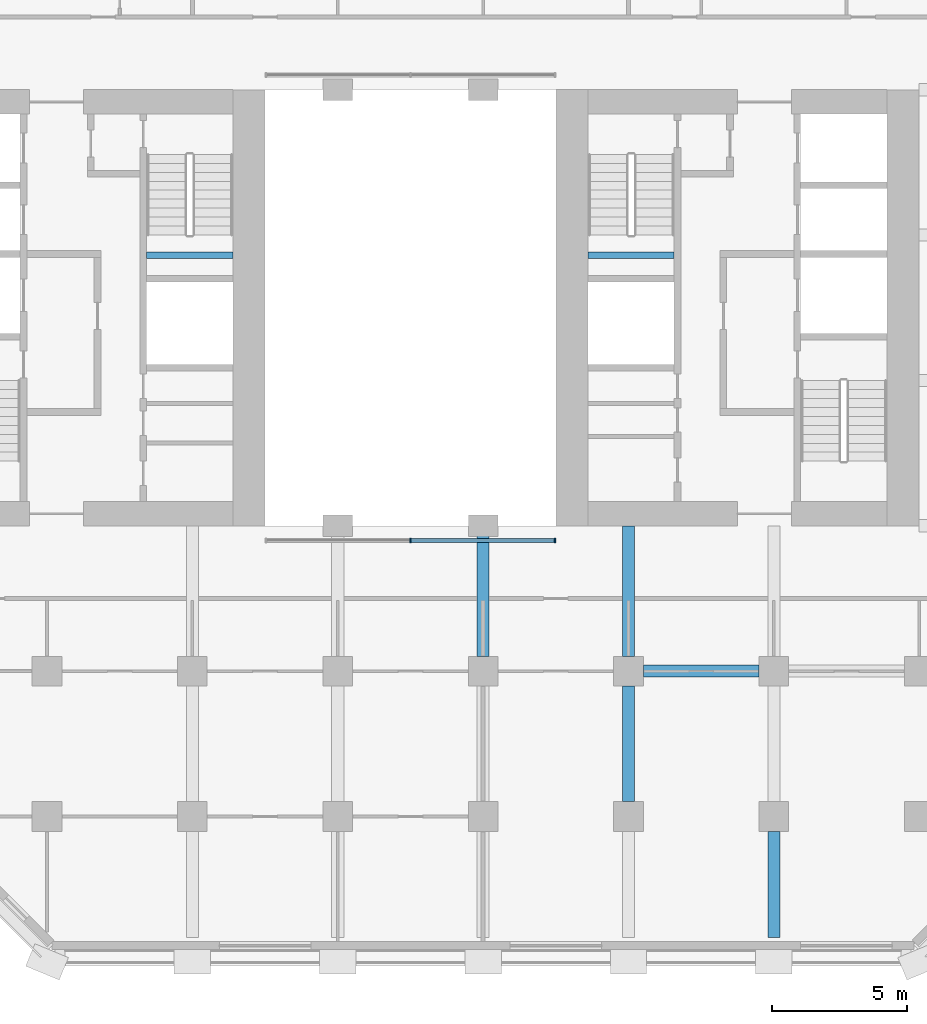
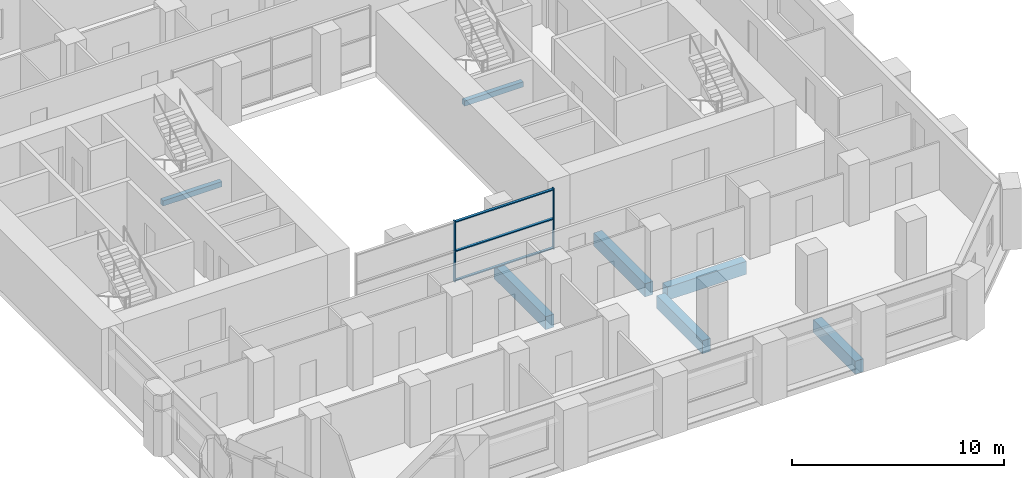
# One storey, part 4 of 13: 7 beams, 5 members, 1 element without a shape of its own.
"""IFC4 building model written with IfcOpenShell, lengths in metres."""

import ifcopenshell
import ifcopenshell.guid

model = None  # the IFC model being written
_history = None  # IfcOwnerHistory: only IFC2X3 demands one
_inside = {}  # id of a spatial element -> (the spatial element, [elements in it])
_under = {}  # id of a project, library or spatial element -> (it, [spatial elements below it])
_declared = {}  # id of a project -> (the project, [libraries it declares])
_typed = {}  # id of a type object -> (the type object, [elements of that type])
_made_of = {}  # id of a material, layer set ... -> (it, [elements and type objects made of it])


def new_model(schema):
    """Start an empty IFC model of exactly this schema.

    Asked for "IFC4X3", IfcOpenShell would pick the latest addendum, in which some entities
    have other attributes; the version numbers below select the first issue.
    IFC2X3 requires an IfcOwnerHistory on every rooted entity: one is made here for all.
    """
    global model, _history
    if schema == "IFC4X3":
        model = ifcopenshell.file(schema_version=(4, 3, 0, 0))
    else:
        model = ifcopenshell.file(schema=schema)
    _inside.clear()
    _under.clear()
    _declared.clear()
    _typed.clear()
    _made_of.clear()
    _history = None
    if model.schema == "IFC2X3":
        org = make("IfcOrganization", Name="unknown")
        user = make(
            "IfcPersonAndOrganization",
            ThePerson=make("IfcPerson", FamilyName="unknown"),
            TheOrganization=org,
        )
        app = make(
            "IfcApplication",
            ApplicationDeveloper=org,
            Version="unknown",
            ApplicationFullName="unknown",
            ApplicationIdentifier="unknown",
        )
        _history = make(
            "IfcOwnerHistory",
            OwningUser=user,
            OwningApplication=app,
            ChangeAction="ADDED",
            CreationDate=0,
        )
    return model


def make(cls, **values):
    """One entity of the class cls with the attributes given. An attribute that is None is left unset."""
    return model.create_entity(
        cls, **{name: value for name, value in values.items() if value is not None}
    )


def rooted(cls, **values):
    """An entity with a GlobalId (a new one), such as an element, a storey or a relation."""
    return make(cls, GlobalId=ifcopenshell.guid.new(), OwnerHistory=_history, **values)


def si_unit(unit_type, name, prefix=None):
    """IfcSIUnit, for example si_unit("LENGTHUNIT", "METRE", prefix="MILLI")."""
    return make("IfcSIUnit", UnitType=unit_type, Prefix=prefix, Name=name)


def assignment(units):
    """IfcUnitAssignment: the units of a project."""
    return None if units is None else make("IfcUnitAssignment", Units=units)


def point(xyz):
    """IfcCartesianPoint."""
    return None if xyz is None else make("IfcCartesianPoint", Coordinates=xyz)


def direction(xyz):
    """IfcDirection."""
    return None if xyz is None else make("IfcDirection", DirectionRatios=xyz)


def frame(location, z_axis=None, x_axis=None):
    """IfcAxis2Placement3D, a coordinate frame: its origin and axes. An axis left out is left unset."""
    return make(
        "IfcAxis2Placement3D",
        Location=point(location),
        Axis=direction(z_axis),
        RefDirection=direction(x_axis),
    )


def frame_2d(location, x_axis=None):
    """IfcAxis2Placement2D, a coordinate frame in the plane: its origin and x axis."""
    return make(
        "IfcAxis2Placement2D", Location=point(location), RefDirection=direction(x_axis)
    )


def origin():
    """The frame at (0, 0, 0) with its axes left unset."""
    return frame((0.0, 0.0, 0.0))


def origin_2d():
    """The frame at (0, 0) in the plane with its x axis left unset."""
    return frame_2d((0.0, 0.0))


def place(relative_to, where):
    """IfcLocalPlacement: puts the frame where relative to a parent placement (None: the world)."""
    return make(
        "IfcLocalPlacement", PlacementRelTo=relative_to, RelativePlacement=where
    )


def context(
    kind, dimensions, precision=None, world=None, true_north=None, identifier=None
):
    """IfcGeometricRepresentationContext, for example the 3D "Model" context."""
    return make(
        "IfcGeometricRepresentationContext",
        ContextIdentifier=identifier,
        ContextType=kind,
        CoordinateSpaceDimension=dimensions,
        Precision=precision,
        WorldCoordinateSystem=world,
        TrueNorth=true_north,
    )


def subcontext(parent, identifier, kind, view, scale=None):
    """IfcGeometricRepresentationSubContext, for example "Body" below "Model"."""
    return make(
        "IfcGeometricRepresentationSubContext",
        ContextIdentifier=identifier,
        ContextType=kind,
        ParentContext=parent,
        TargetScale=scale,
        TargetView=view,
    )


def project(units=None, contexts=None):
    """IfcProject with its units and contexts."""
    return rooted(
        "IfcProject",
        Name="project",
        RepresentationContexts=contexts,
        UnitsInContext=assignment(units),
    )


def spatial(cls, under=None, at=None, **own):
    """A site, building, storey or space (cls), placed at a placement, below another one or the project."""
    s = rooted(cls, ObjectPlacement=at, **own)
    if under is not None:
        _under.setdefault(under.id(), (under, []))[1].append(s)
    return s


def profile(cls, at=None, kind="AREA", **sizes):
    """A parametric profile (cls). Its sizes go by their IFC names, for example OverallWidth=200.0."""
    return make(cls, ProfileType=kind, Position=at, **sizes)


def rectangle(**sizes):
    """IfcRectangleProfileDef."""
    return profile("IfcRectangleProfileDef", **sizes)


def extrude(swept, where, along, depth):
    """IfcExtrudedAreaSolid: the profile swept, set in the frame where, extruded along a direction by depth."""
    return make(
        "IfcExtrudedAreaSolid",
        SweptArea=swept,
        Position=where,
        ExtrudedDirection=direction(along),
        Depth=depth,
    )


def shape(context_of_items, identifier, shape_type, items):
    """IfcShapeRepresentation: the items that make up one representation, for example the "Body"."""
    return make(
        "IfcShapeRepresentation",
        ContextOfItems=context_of_items,
        RepresentationIdentifier=identifier,
        RepresentationType=shape_type,
        Items=items,
    )


def material(Name=None, Category=None):
    """IfcMaterial."""
    return make("IfcMaterial", Name=Name, Category=Category)


def material_profile(
    of_material, cross_section, Name=None, Category=None, Priority=None
):
    """IfcMaterialProfile: a cross section and its material."""
    return make(
        "IfcMaterialProfile",
        Name=Name,
        Material=of_material,
        Profile=cross_section,
        Priority=Priority,
        Category=Category,
    )


def profile_set(profiles, Name=None, composite=None):
    """IfcMaterialProfileSet."""
    return make(
        "IfcMaterialProfileSet",
        Name=Name,
        MaterialProfiles=profiles,
        CompositeProfile=composite,
    )


def made_of(thing, what):
    """Note that an element or type object is made of a material, layer set ...; save() writes the relation."""
    if what is not None:
        _made_of.setdefault(what.id(), (what, []))[1].append(thing)
    return thing


def type_object(cls, material=None, **own):
    """A type object (cls), such as IfcWallType, which elements share."""
    return made_of(rooted(cls, **own), material)


def element(
    cls,
    number,
    at=None,
    inside=None,
    cuts=None,
    type_object=None,
    material=None,
    context=None,
    identifier="Body",
    shape_type=None,
    held_by="IfcProductDefinitionShape",
    body=None,
    shapes=None,
    **own,
):
    """One element of the class cls, such as IfcWall. Its Tag is "e" and its number.

    at: its placement. inside: the storey or other place that contains it. cuts: it is an
    opening in that element (IfcRelVoidsElement). A single representation is given by context,
    identifier, shape_type and body (its items); several are given by shapes. held_by: the class
    of the entity that holds the representations. save() writes the other relations.
    """
    e = rooted(cls, Tag="e%d" % number, ObjectPlacement=at, **own)
    if body is not None:
        shapes = [shape(context, identifier, shape_type, body)]
    if shapes is not None:
        e.Representation = make(held_by, Representations=shapes)
    if inside is not None:
        _inside.setdefault(inside.id(), (inside, []))[1].append(e)
    if cuts is not None:
        rooted(
            "IfcRelVoidsElement", RelatingBuildingElement=cuts, RelatedOpeningElement=e
        )
    if type_object is not None:
        _typed.setdefault(type_object.id(), (type_object, []))[1].append(e)
    return made_of(e, material)


def aggregate(whole, parts):
    """IfcRelAggregates: a whole, such as a stair, and the parts it consists of."""
    return rooted("IfcRelAggregates", RelatingObject=whole, RelatedObjects=parts)


def save(model, path):
    """Write the relations noted so far, then the file.

    IfcRelAggregates (storeys below a building ...), IfcRelContainedInSpatialStructure (elements
    in a storey), IfcRelDefinesByType, IfcRelAssociatesMaterial and IfcRelDeclares: one each for
    every whole, place, type object, material and project.
    """
    for whole, parts in _under.values():
        aggregate(whole, parts)
    for where, things in _inside.values():
        rooted(
            "IfcRelContainedInSpatialStructure",
            RelatedElements=things,
            RelatingStructure=where,
        )
    for kind, things in _typed.values():
        rooted("IfcRelDefinesByType", RelatedObjects=things, RelatingType=kind)
    for what, things in _made_of.values():
        rooted("IfcRelAssociatesMaterial", RelatedObjects=things, RelatingMaterial=what)
    for by, libraries in _declared.values():
        rooted("IfcRelDeclares", RelatingContext=by, RelatedDefinitions=libraries)
    model.write(path)


model = new_model("IFC4")

# Units and contexts
model_context = context("Model", 3, precision=1e-05, world=origin(), true_north=direction((0.0, 1.0)))
body_context = subcontext(model_context, "Body", "Model", "MODEL_VIEW")
ifc_project = project(units=[si_unit("LENGTHUNIT", "METRE"), si_unit("AREAUNIT", "SQUARE_METRE"), si_unit("VOLUMEUNIT", "CUBIC_METRE"), si_unit("PLANEANGLEUNIT", "RADIAN"), si_unit("MASSUNIT", "GRAM", prefix="KILO")], contexts=[model_context])

# Site, building, storey
site_placement = place(None, origin())
site = spatial("IfcSite", under=ifc_project, at=site_placement, CompositionType="ELEMENT")
building_placement = place(site_placement, origin())
building = spatial("IfcBuilding", under=site, at=building_placement, Name="Tabaq Tower and Sports Hall", CompositionType="ELEMENT")
storey_placement = place(building_placement, frame((0.0, 0.0, 45.0)))
storey = spatial("IfcBuildingStorey", under=building, at=storey_placement, Name="L09", CompositionType="ELEMENT", Elevation=45.0)

# Curtain wall, members
ifc_material_1 = material(Name="Aluminium alloy 6063-T6 framed glazing", Category="aluminium")
curtain_wall_type = type_object("IfcCurtainWallType", Name="CW1 curtain wall", PredefinedType="USERDEFINED", material=ifc_material_1)
curtain_wall_placement = place(storey_placement, origin())
curtain_wall = element("IfcCurtainWall", 1, at=curtain_wall_placement, inside=storey, type_object=curtain_wall_type, Name="Atrium glazing L09 S", ObjectType="ATRIUM ENCLOSURE", PredefinedType="USERDEFINED")
ifc_material_2 = material(Name="Aluminium alloy 6063-T6", Category="aluminium")
ifc_material_profile_1 = material_profile(ifc_material_2, rectangle(XDim=0.159912109375, YDim=0.06005859375, at=origin_2d()), Name="MULLION 160x60")
ifc_profile_set_1 = profile_set([ifc_material_profile_1], Name="Aluminium alloy 6063-T6")
member_type_1 = type_object("IfcMemberType", Name="CW1 mullion 160x60", PredefinedType="MULLION", material=ifc_profile_set_1)
member_1_placement = place(storey_placement, frame((24.300048828125, 15.64990234375, 0.0), z_axis=(0.0, 0.0, 1.0), x_axis=(0.0, 1.0, 0.0)))
member_1 = element("IfcMember", 2, at=member_1_placement, type_object=member_type_1, Name="CW1 mullion 2", PredefinedType="MULLION", context=body_context, shape_type="SweptSolid", body=[
    extrude(rectangle(XDim=0.159912109375, YDim=0.06005859375, at=origin_2d()), origin(), (0.0, 0.0, 1.0), 3.5),
])
member_2_placement = place(storey_placement, frame((29.669921875, 15.64990234375, 0.0), z_axis=(0.0, 0.0, 1.0), x_axis=(0.0, 1.0, 0.0)))
member_2 = element("IfcMember", 3, at=member_2_placement, type_object=member_type_1, Name="CW1 mullion 3", PredefinedType="MULLION", context=body_context, shape_type="SweptSolid", body=[
    extrude(rectangle(XDim=0.159912109375, YDim=0.06005859375, at=origin_2d()), origin(), (0.0, 0.0, 1.0), 3.5),
])
ifc_material_3 = material(Name="Aluminium alloy 6063-T6", Category="aluminium")
ifc_material_profile_2 = material_profile(ifc_material_3, rectangle(XDim=0.139892578125, YDim=0.06005859375, at=origin_2d()), Name="TRANSOM 140x60")
ifc_profile_set_2 = profile_set([ifc_material_profile_2], Name="Aluminium alloy 6063-T6")
member_type_2 = type_object("IfcMemberType", Name="CW1 transom 140x60", PredefinedType="USERDEFINED", material=ifc_profile_set_2)
member_3_placement = place(storey_placement, frame((24.330078125, 15.64990234375, 0.070068359375), z_axis=(1.0, 0.0, 0.0), x_axis=(0.0, 1.0, 0.0)))
member_3 = element("IfcMember", 4, at=member_3_placement, type_object=member_type_2, Name="CW1 transom 2.1", ObjectType="TRANSOM", PredefinedType="USERDEFINED", context=body_context, shape_type="SweptSolid", body=[
    extrude(rectangle(XDim=0.139892578125, YDim=0.06005859375, at=origin_2d()), origin(), (0.0, 0.0, 1.0), 5.309814453125),
])
member_4_placement = place(storey_placement, frame((24.330078125, 15.64990234375, 1.75), z_axis=(1.0, 0.0, 0.0), x_axis=(0.0, 1.0, 0.0)))
member_4 = element("IfcMember", 5, at=member_4_placement, type_object=member_type_2, Name="CW1 transom 2.2", ObjectType="TRANSOM", PredefinedType="USERDEFINED", context=body_context, shape_type="SweptSolid", body=[
    extrude(rectangle(XDim=0.139892578125, YDim=0.06005859375, at=origin_2d()), origin(), (0.0, 0.0, 1.0), 5.309814453125),
])
member_5_placement = place(storey_placement, frame((24.330078125, 15.64990234375, 3.429931640625), z_axis=(1.0, 0.0, 0.0), x_axis=(0.0, 1.0, 0.0)))
member_5 = element("IfcMember", 6, at=member_5_placement, type_object=member_type_2, Name="CW1 transom 2.3", ObjectType="TRANSOM", PredefinedType="USERDEFINED", context=body_context, shape_type="SweptSolid", body=[
    extrude(rectangle(XDim=0.139892578125, YDim=0.06005859375, at=origin_2d()), origin(), (0.0, 0.0, 1.0), 5.309814453125),
])
aggregate(curtain_wall, [member_1, member_2, member_3, member_4, member_5])

# Beams
ifc_material_4 = material(Name="Concrete C40/50", Category="concrete")
ifc_material_profile_3 = material_profile(ifc_material_4, rectangle(XDim=0.449951171875, YDim=0.75, at=origin_2d()), Name="CB 450x750")
ifc_profile_set_3 = profile_set([ifc_material_profile_3], Name="Concrete C40/50")
beam_type_1 = type_object("IfcBeamType", Name="PT CANTILEVER BEAM CB 450x750 C40/50", PredefinedType="BEAM", material=ifc_profile_set_3)
beam_1_placement = place(storey_placement, frame((37.25, 10.800048828125, -0.675048828125), z_axis=(-1.0, 0.0, 0.0), x_axis=(0.0, -1.0, 0.0)))
element("IfcBeam", 7, at=beam_1_placement, inside=storey, type_object=beam_type_1, Name="Cantilever Beam L09 E2 span 3", PredefinedType="BEAM", context=body_context, shape_type="SweptSolid", body=[
    extrude(rectangle(XDim=0.449951171875, YDim=0.75, at=origin_2d()), origin(), (0.0, 0.0, 1.0), 4.300048828125),
])
beam_2_placement = place(storey_placement, frame((27.0, 11.35009765625, -0.675048828125), z_axis=(0.0, 1.0, 0.0), x_axis=(-1.0, 0.0, 0.0)))
element("IfcBeam", 8, at=beam_2_placement, inside=storey, type_object=beam_type_1, Name="Cantilever Beam L09 S5 span 3", PredefinedType="BEAM", context=body_context, shape_type="SweptSolid", body=[
    extrude(rectangle(XDim=0.449951171875, YDim=0.75, at=origin_2d()), origin(), (0.0, 0.0, 1.0), 4.849853515625),
])
beam_3_placement = place(storey_placement, frame((32.39990234375, 5.949951171875, -0.675048828125), z_axis=(0.0, 1.0, 0.0), x_axis=(-1.0, 0.0, 0.0)))
element("IfcBeam", 9, at=beam_3_placement, inside=storey, type_object=beam_type_1, Name="Cantilever Beam L09 S6 span 2", PredefinedType="BEAM", context=body_context, shape_type="SweptSolid", body=[
    extrude(rectangle(XDim=0.449951171875, YDim=0.75, at=origin_2d()), origin(), (0.0, 0.0, 1.0), 4.300048828125),
])
beam_4_placement = place(storey_placement, frame((32.39990234375, 11.35009765625, -0.675048828125), z_axis=(0.0, 1.0, 0.0), x_axis=(-1.0, 0.0, 0.0)))
element("IfcBeam", 10, at=beam_4_placement, inside=storey, type_object=beam_type_1, Name="Cantilever Beam L09 S6 span 3", PredefinedType="BEAM", context=body_context, shape_type="SweptSolid", body=[
    extrude(rectangle(XDim=0.449951171875, YDim=0.75, at=origin_2d()), origin(), (0.0, 0.0, 1.0), 4.849853515625),
])
beam_5_placement = place(storey_placement, frame((37.800048828125, 0.89990234375, -0.675048828125), z_axis=(0.0, 1.0, 0.0), x_axis=(-1.0, 0.0, 0.0)))
element("IfcBeam", 11, at=beam_5_placement, inside=storey, type_object=beam_type_1, Name="Cantilever Beam L09 S7 span 1", PredefinedType="BEAM", context=body_context, shape_type="SweptSolid", body=[
    extrude(rectangle(XDim=0.449951171875, YDim=0.75, at=origin_2d()), origin(), (0.0, 0.0, 1.0), 3.9501953125),
])
ifc_material_5 = material(Name="Concrete C40/50", Category="concrete")
ifc_material_profile_4 = material_profile(ifc_material_5, rectangle(XDim=0.25, YDim=0.300048828125, at=origin_2d()), Name="RC 250x300")
ifc_profile_set_4 = profile_set([ifc_material_profile_4], Name="Concrete C40/50")
beam_type_2 = type_object("IfcBeamType", Name="Stair landing beam 250x300", PredefinedType="BEAM", material=ifc_profile_set_4)
beam_6_placement = place(storey_placement, frame((14.5, 26.25, 1.550048828125), z_axis=(1.0, 0.0, 0.0), x_axis=(0.0, 1.0, 0.0)))
element("IfcBeam", 12, at=beam_6_placement, inside=storey, type_object=beam_type_2, Name="L09 ST2 landing beam 1", PredefinedType="BEAM", context=body_context, shape_type="SweptSolid", body=[
    extrude(rectangle(XDim=0.25, YDim=0.300048828125, at=origin_2d()), origin(), (0.0, 0.0, 1.0), 3.199951171875),
])
beam_7_placement = place(storey_placement, frame((30.89990234375, 26.25, 1.550048828125), z_axis=(1.0, 0.0, 0.0), x_axis=(0.0, 1.0, 0.0)))
element("IfcBeam", 13, at=beam_7_placement, inside=storey, type_object=beam_type_2, Name="L09 ST4 landing beam 1", PredefinedType="BEAM", context=body_context, shape_type="SweptSolid", body=[
    extrude(rectangle(XDim=0.25, YDim=0.300048828125, at=origin_2d()), origin(), (0.0, 0.0, 1.0), 3.2001953125),
])

save(model, "model.ifc")
